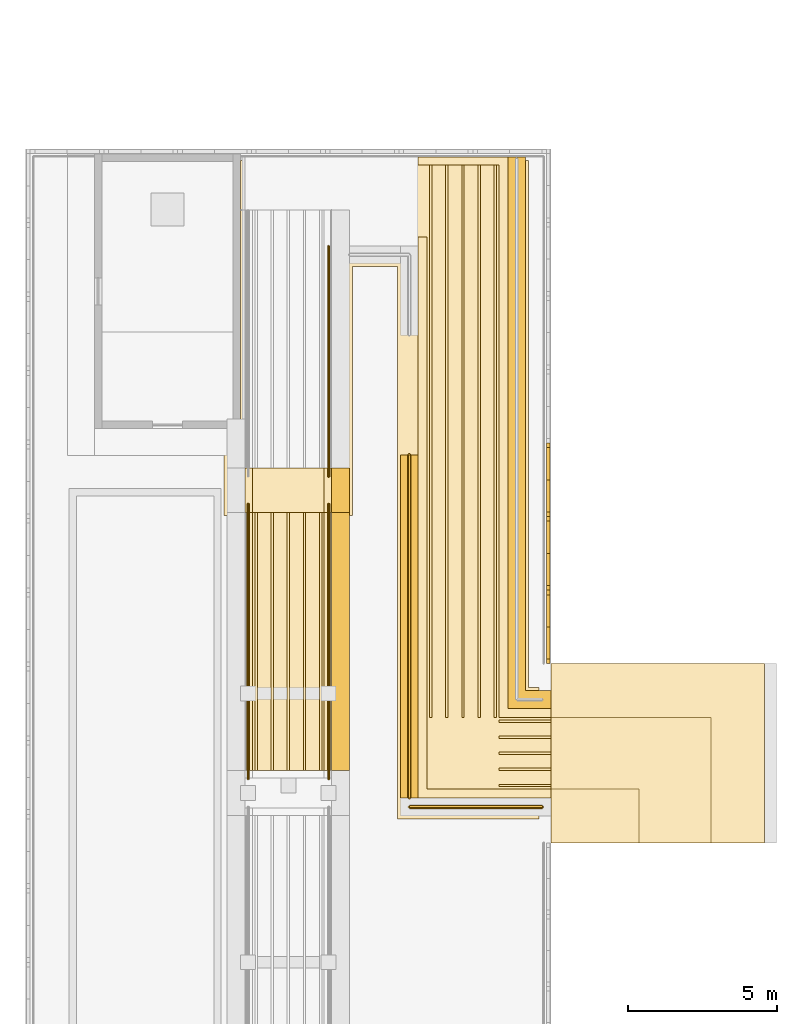
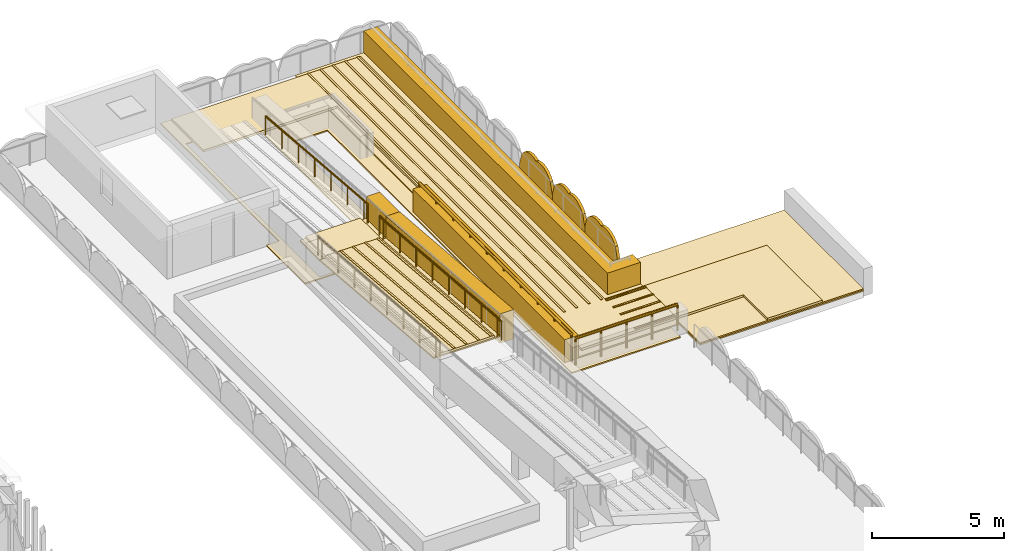
# One storey, part 68 of 70: 29 coverings, 5 railings, 3 shading devices.
"""IFC4 building model written with IfcOpenShell, lengths in metres."""

from ifc_helpers import new_model, si_unit, direction, frame, origin, origin_2d, place, context, subcontext, project, spatial, polyline, circle, outline, extrude, material, layer, layer_set, type_object, element, save


model = new_model("IFC4")

# Units and contexts
model_context = context("Model", 3, precision=1e-05, world=origin(), true_north=direction((0.0, 1.0)))
body_context = subcontext(model_context, "Body", "Model", "MODEL_VIEW")
ifc_project = project(units=[si_unit("LENGTHUNIT", "METRE"), si_unit("AREAUNIT", "SQUARE_METRE"), si_unit("VOLUMEUNIT", "CUBIC_METRE"), si_unit("PLANEANGLEUNIT", "RADIAN"), si_unit("MASSUNIT", "GRAM", prefix="KILO")], contexts=[model_context])

# Site, building, storey
site_placement = place(None, origin())
site = spatial("IfcSite", under=ifc_project, at=site_placement, CompositionType="ELEMENT")
building_placement = place(site_placement, origin())
building = spatial("IfcBuilding", under=site, at=building_placement, Name="Elbe Cascade School", CompositionType="ELEMENT")
storey_placement = place(building_placement, frame((0.0, 0.0, 8.10009765625)))
storey = spatial("IfcBuildingStorey", under=building, at=storey_placement, Name="L02", CompositionType="ELEMENT", Elevation=8.10009765625)

# Shading devices
ifc_material_1 = material(Name="Precast concrete C40/50", Category="concrete")
ifc_layer_1 = layer(ifc_material_1, 0.1201171875)
ifc_layer_set_1 = layer_set([ifc_layer_1], Name="Precast concrete C40/50")
shading_device_type = type_object("IfcShadingDeviceType", Name="Bars envelope Attic jali screen, pointed arch top, pierced precast concrete, 1200 high", PredefinedType="USERDEFINED", material=ifc_layer_set_1)
shading_device_1_placement = place(storey_placement, frame((175.1201171875, 43.0, 0.0), z_axis=(1.0, 0.0, 0.0), x_axis=(0.0, 1.0, 0.0)))
element("IfcShadingDevice", 1, at=shading_device_1_placement, inside=storey, type_object=shading_device_type, Name="Attic jali screen SD1 D.L02.e14", ObjectType="JALI", PredefinedType="USERDEFINED", context=body_context, shape_type="SweptSolid", body=[
    extrude(outline(polyline([(0.0, 0.0), (2.46435546875, 0.0), (2.46435546875, 0.39990234375), (2.310302734375, 0.89599609375), (2.15625, 1.066650390625), (2.002197265625, 1.171875), (1.84814453125, 1.236328125), (1.694091796875, 1.269287109375), (1.540283203125, 1.2744140625), (1.38623046875, 1.251953125), (1.232177734375, 1.199951171875), (1.078125, 1.251953125), (0.924072265625, 1.2744140625), (0.77001953125, 1.269287109375), (0.6162109375, 1.236328125), (0.462158203125, 1.171875), (0.30810546875, 1.066650390625), (0.154052734375, 0.89599609375), (0.0, 0.39990234375), (0.0, 0.0)])), origin(), (0.0, 0.0, -1.0), 0.1201171875),
])
shading_device_2_placement = place(storey_placement, frame((175.1201171875, 45.46435546875, 0.0), z_axis=(1.0, 0.0, 0.0), x_axis=(0.0, 1.0, 0.0)))
element("IfcShadingDevice", 2, at=shading_device_2_placement, inside=storey, type_object=shading_device_type, Name="Attic jali screen SD1 D.L02.e15", ObjectType="JALI", PredefinedType="USERDEFINED", context=body_context, shape_type="SweptSolid", body=[
    extrude(outline(polyline([(0.0, 0.0), (2.46435546875, 0.0), (2.46435546875, 0.39990234375), (2.310302734375, 0.89599609375), (2.15625, 1.066650390625), (2.002197265625, 1.171875), (1.84814453125, 1.236328125), (1.694091796875, 1.269287109375), (1.5400390625, 1.2744140625), (1.385986328125, 1.251953125), (1.23193359375, 1.199951171875), (1.078125, 1.251953125), (0.924072265625, 1.2744140625), (0.77001953125, 1.269287109375), (0.615966796875, 1.236328125), (0.4619140625, 1.171875), (0.307861328125, 1.066650390625), (0.154052734375, 0.89599609375), (0.0, 0.39990234375), (0.0, 0.0)])), origin(), (0.0, 0.0, -1.0), 0.1201171875),
])
shading_device_3_placement = place(storey_placement, frame((175.1201171875, 47.9287109375, 0.0), z_axis=(1.0, 0.0, 0.0), x_axis=(0.0, 1.0, 0.0)))
element("IfcShadingDevice", 3, at=shading_device_3_placement, inside=storey, type_object=shading_device_type, Name="Attic jali screen SD1 D.L02.e16", ObjectType="JALI", PredefinedType="USERDEFINED", context=body_context, shape_type="SweptSolid", body=[
    extrude(outline(polyline([(0.0, 0.0), (2.464111328125, 0.0), (2.464111328125, 0.39990234375), (2.31005859375, 0.89599609375), (2.156005859375, 1.066650390625), (2.002197265625, 1.171875), (1.84814453125, 1.236328125), (1.694091796875, 1.269287109375), (1.5400390625, 1.2744140625), (1.385986328125, 1.251953125), (1.23193359375, 1.199951171875), (1.077880859375, 1.251953125), (0.924072265625, 1.2744140625), (0.77001953125, 1.269287109375), (0.615966796875, 1.236328125), (0.4619140625, 1.171875), (0.307861328125, 1.066650390625), (0.15380859375, 0.89599609375), (0.0, 0.39990234375), (0.0, 0.0)])), origin(), (0.0, 0.0, -1.0), 0.1201171875),
])

# Coverings
ifc_material_2 = material(Name="Bituminous waterproofing membrane", Category="membrane")
ifc_layer_2 = layer(ifc_material_2, 0.06005859375)
ifc_layer_set_2 = layer_set([ifc_layer_2], Name="Bituminous waterproofing membrane")
covering_type_1 = type_object("IfcCoveringType", Name="Bars envelope Roof covering, bituminous waterproofing membrane", PredefinedType="ROOFING", material=ifc_layer_set_2)
covering_1_placement = place(storey_placement, origin())
element("IfcCovering", 4, at=covering_1_placement, inside=storey, type_object=covering_type_1, Name="Roof covering CV49 D.L02.3", PredefinedType="ROOFING", context=body_context, shape_type="SweptSolid", body=[
    extrude(outline(polyline([(164.75, 50.875), (164.75, 59.85009765625), (174.39990234375, 59.85009765625), (174.39990234375, 42.199951171875), (174.75, 42.199951171875), (174.75, 37.800048828125), (170.0, 37.800048828125), (170.0, 56.300048828125), (168.5, 56.300048828125), (168.5, 47.9599609375), (164.199951171875, 47.9599609375), (164.199951171875, 50.875), (164.75, 50.875)]), holes=[polyline([(167.800048828125, 58.199951171875), (164.89990234375, 58.199951171875), (164.89990234375, 48.06005859375), (167.800048828125, 48.06005859375), (167.800048828125, 58.199951171875)])]), origin(), (0.0, 0.0, 1.0), 0.059814453125),
])
ifc_material_3 = material(Name="Cement screed", Category="screed")
ifc_layer_3 = layer(ifc_material_3, 0.06005859375)
ifc_layer_set_3 = layer_set([ifc_layer_3], Name="Cement screed")
covering_type_2 = type_object("IfcCoveringType", Name="Landing screed 60", PredefinedType="FLOORING", material=ifc_layer_set_3)
covering_2_placement = place(storey_placement, origin())
element("IfcCovering", 5, at=covering_2_placement, inside=storey, type_object=covering_type_2, Name="Cascade top landing screed", PredefinedType="FLOORING", context=body_context, shape_type="SweptSolid", body=[
    extrude(outline(polyline([(175.14990234375, 37.0), (182.300048828125, 37.0), (182.300048828125, 43.0), (175.14990234375, 43.0), (175.14990234375, 37.0)])), origin(), (0.0, 0.0, 1.0), 0.059814453125),
])
ifc_material_4 = material(Name="Running track surfacing - white lines", Category="surfacing")
ifc_layer_4 = layer(ifc_material_4, 0.02001953125)
ifc_layer_set_4 = layer_set([ifc_layer_4], Name="Running track surfacing - white lines")
covering_type_3 = type_object("IfcCoveringType", Name="Lane marking 80", PredefinedType="FLOORING", material=ifc_layer_set_4)
covering_3_placement = place(storey_placement, frame((0.0, 0.0, 0.219970703125)))
element("IfcCovering", 6, at=covering_3_placement, inside=storey, type_object=covering_type_3, Name="Lane marking D roof strip 1", PredefinedType="FLOORING", context=body_context, shape_type="SweptSolid", body=[
    extrude(outline(polyline([(171.080078125, 59.699951171875), (171.159912109375, 59.699951171875), (171.159912109375, 41.199951171875), (171.080078125, 41.199951171875), (171.080078125, 59.699951171875)])), origin(), (0.0, 0.0, 1.0), 0.02001953125),
])
covering_4_placement = place(storey_placement, frame((0.0, 0.0, 0.219970703125)))
element("IfcCovering", 7, at=covering_4_placement, inside=storey, type_object=covering_type_3, Name="Lane marking D roof leg 1", PredefinedType="FLOORING", context=body_context, shape_type="SweptSolid", body=[
    extrude(outline(polyline([(173.39990234375, 38.8798828125), (175.14990234375, 38.8798828125), (175.14990234375, 38.9599609375), (173.39990234375, 38.9599609375), (173.39990234375, 38.8798828125)])), origin(), (0.0, 0.0, 1.0), 0.02001953125),
])
covering_5_placement = place(storey_placement, frame((0.0, 0.0, 0.219970703125)))
element("IfcCovering", 8, at=covering_5_placement, inside=storey, type_object=covering_type_3, Name="Lane marking D roof strip 2", PredefinedType="FLOORING", context=body_context, shape_type="SweptSolid", body=[
    extrude(outline(polyline([(171.6201171875, 59.699951171875), (171.699951171875, 59.699951171875), (171.699951171875, 41.199951171875), (171.6201171875, 41.199951171875), (171.6201171875, 59.699951171875)])), origin(), (0.0, 0.0, 1.0), 0.02001953125),
])
covering_6_placement = place(storey_placement, frame((0.0, 0.0, 0.219970703125)))
element("IfcCovering", 9, at=covering_6_placement, inside=storey, type_object=covering_type_3, Name="Lane marking D roof leg 2", PredefinedType="FLOORING", context=body_context, shape_type="SweptSolid", body=[
    extrude(outline(polyline([(173.39990234375, 39.419921875), (175.14990234375, 39.419921875), (175.14990234375, 39.5), (173.39990234375, 39.5), (173.39990234375, 39.419921875)])), origin(), (0.0, 0.0, 1.0), 0.02001953125),
])
covering_7_placement = place(storey_placement, frame((0.0, 0.0, 0.219970703125)))
element("IfcCovering", 10, at=covering_7_placement, inside=storey, type_object=covering_type_3, Name="Lane marking D roof strip 3", PredefinedType="FLOORING", context=body_context, shape_type="SweptSolid", body=[
    extrude(outline(polyline([(172.159912109375, 59.699951171875), (172.239990234375, 59.699951171875), (172.239990234375, 41.199951171875), (172.159912109375, 41.199951171875), (172.159912109375, 59.699951171875)])), origin(), (0.0, 0.0, 1.0), 0.02001953125),
])
covering_8_placement = place(storey_placement, frame((0.0, 0.0, 0.219970703125)))
element("IfcCovering", 11, at=covering_8_placement, inside=storey, type_object=covering_type_3, Name="Lane marking D roof leg 3", PredefinedType="FLOORING", context=body_context, shape_type="SweptSolid", body=[
    extrude(outline(polyline([(173.39990234375, 39.9599609375), (175.14990234375, 39.9599609375), (175.14990234375, 40.0400390625), (173.39990234375, 40.0400390625), (173.39990234375, 39.9599609375)])), origin(), (0.0, 0.0, 1.0), 0.02001953125),
])
covering_9_placement = place(storey_placement, frame((0.0, 0.0, 0.219970703125)))
element("IfcCovering", 12, at=covering_9_placement, inside=storey, type_object=covering_type_3, Name="Lane marking D roof strip 4", PredefinedType="FLOORING", context=body_context, shape_type="SweptSolid", body=[
    extrude(outline(polyline([(172.699951171875, 59.699951171875), (172.780029296875, 59.699951171875), (172.780029296875, 41.199951171875), (172.699951171875, 41.199951171875), (172.699951171875, 59.699951171875)])), origin(), (0.0, 0.0, 1.0), 0.02001953125),
])
covering_10_placement = place(storey_placement, frame((0.0, 0.0, 0.219970703125)))
element("IfcCovering", 13, at=covering_10_placement, inside=storey, type_object=covering_type_3, Name="Lane marking D roof leg 4", PredefinedType="FLOORING", context=body_context, shape_type="SweptSolid", body=[
    extrude(outline(polyline([(173.39990234375, 40.5), (175.14990234375, 40.5), (175.14990234375, 40.580078125), (173.39990234375, 40.580078125), (173.39990234375, 40.5)])), origin(), (0.0, 0.0, 1.0), 0.02001953125),
])
covering_11_placement = place(storey_placement, frame((0.0, 0.0, 0.219970703125)))
element("IfcCovering", 14, at=covering_11_placement, inside=storey, type_object=covering_type_3, Name="Lane marking D roof strip 5", PredefinedType="FLOORING", context=body_context, shape_type="SweptSolid", body=[
    extrude(outline(polyline([(173.239990234375, 59.699951171875), (173.320068359375, 59.699951171875), (173.320068359375, 41.199951171875), (173.239990234375, 41.199951171875), (173.239990234375, 59.699951171875)])), origin(), (0.0, 0.0, 1.0), 0.02001953125),
])
covering_12_placement = place(storey_placement, frame((0.0, 0.0, 0.219970703125)))
element("IfcCovering", 15, at=covering_12_placement, inside=storey, type_object=covering_type_3, Name="Lane marking D roof leg 5", PredefinedType="FLOORING", context=body_context, shape_type="SweptSolid", body=[
    extrude(outline(polyline([(173.39990234375, 41.0400390625), (175.14990234375, 41.0400390625), (175.14990234375, 41.1201171875), (173.39990234375, 41.1201171875), (173.39990234375, 41.0400390625)])), origin(), (0.0, 0.0, 1.0), 0.02001953125),
])
for number, where, z_axis, x_axis, name in (
    (16, (165.22998046875, 39.419921875, 1.679931640625), (0.0, 0.083040819057, 0.996546146634), (0.0, 0.996546146634, -0.083040819057), "Lane marking D ramp flight 4 line 1"),
    (17, (165.77001953125, 39.419921875, 1.679931640625), (0.0, 0.083040819057, 0.996546146634), (0.0, 0.996546146634, -0.083040819057), "Lane marking D ramp flight 4 line 2"),
):
    element("IfcCovering", number, at=place(storey_placement, frame(where, z_axis=z_axis, x_axis=x_axis)), inside=storey, type_object=covering_type_3, Name=name, PredefinedType="FLOORING", context=body_context, shape_type="SweptSolid", body=[
        extrude(outline(polyline([(0.0, 0.0), (8.670081910342619, 0.0), (8.670081910342619, -0.080078125), (0.0, -0.080078125), (0.0, 0.0)])), origin(), (0.083040819057, 0.0, -0.996546146634), 0.02001953125),
    ])
for number, where, z_axis, x_axis, name in (
    (18, (166.31005859375, 39.419921875, 1.679931640625), (0.0, 0.083040819057, 0.996546146634), (0.0, 0.996546146634, -0.083040819057), "Lane marking D ramp flight 4 line 3"),
    (19, (166.85009765625, 39.419921875, 1.679931640625), (0.0, 0.083040819057, 0.996546146634), (0.0, 0.996546146634, -0.083040819057), "Lane marking D ramp flight 4 line 4"),
):
    element("IfcCovering", number, at=place(storey_placement, frame(where, z_axis=z_axis, x_axis=x_axis)), inside=storey, type_object=covering_type_3, Name=name, PredefinedType="FLOORING", context=body_context, shape_type="SweptSolid", body=[
        extrude(outline(polyline([(0.0, 0.0), (8.670081910342619, 0.0), (8.670081910342619, -0.079833984375), (0.0, -0.079833984375), (0.0, 0.0)])), origin(), (0.083040819057, 0.0, -0.996546146634), 0.02001953125),
    ])
covering_13_placement = place(storey_placement, frame((167.389892578125, 39.419921875, 1.679931640625), z_axis=(0.0, 0.083040819057, 0.996546146634), x_axis=(0.0, 0.996546146634, -0.083040819057)))
element("IfcCovering", 20, at=covering_13_placement, inside=storey, type_object=covering_type_3, Name="Lane marking D ramp flight 4 line 5", PredefinedType="FLOORING", context=body_context, shape_type="SweptSolid", body=[
    extrude(outline(polyline([(0.0, 0.0), (8.670081910342619, 0.0), (8.670081910342619, -0.080078125), (0.0, -0.080078125), (0.0, 0.0)])), origin(), (0.083040819057, 0.0, -0.996546146634), 0.02001953125),
])
ifc_material_5 = material(Name="Concrete C30/37 precast parapet", Category="concrete")
ifc_layer_5 = layer(ifc_material_5, 0.60009765625)
ifc_layer_set_5 = layer_set([ifc_layer_5], Name="Concrete C30/37 precast parapet")
covering_type_4 = type_object("IfcCoveringType", Name="Ramp and bridge parapet 600", PredefinedType="CLADDING", material=ifc_layer_set_5)
covering_14_placement = place(storey_placement, frame((167.800048828125, 39.419921875, 2.559814453125), z_axis=(0.0, 0.083040819057, 0.996546146634), x_axis=(0.0, 0.996546146634, -0.083040819057)))
element("IfcCovering", 21, at=covering_14_placement, inside=storey, type_object=covering_type_4, Name="Ramp D flight 4 parapet e1", PredefinedType="CLADDING", context=body_context, shape_type="SweptSolid", body=[
    extrude(outline(polyline([(0.0, 0.0), (8.670081910342619, 0.0), (8.670081910342619, -0.599853515625), (0.0, -0.599853515625), (0.0, 0.0)])), origin(), (0.083040819057, 0.0, -0.996546146634), 1.360107421875),
])
ifc_material_6 = material(Name="Concrete C30/37 precast parapet", Category="concrete")
ifc_layer_6 = layer(ifc_material_6, 0.60009765625)
ifc_layer_set_6 = layer_set([ifc_layer_6], Name="Concrete C30/37 precast parapet")
covering_type_5 = type_object("IfcCoveringType", Name="Ramp parapet on deck 600", PredefinedType="CLADDING", material=ifc_layer_set_6)
covering_15_placement = place(storey_placement, frame((0.0, 0.0, 0.059814453125)))
element("IfcCovering", 22, at=covering_15_placement, inside=storey, type_object=covering_type_5, Name="Ramp D landing 5 parapet e1", PredefinedType="CLADDING", context=body_context, shape_type="SweptSolid", body=[
    extrude(outline(polyline([(167.800048828125, 48.06005859375), (168.39990234375, 48.06005859375), (168.39990234375, 49.56005859375), (167.800048828125, 49.56005859375), (167.800048828125, 48.06005859375)])), origin(), (0.0, 0.0, 1.0), 1.780029296875),
])
ifc_material_7 = material(Name="Running track surfacing - red", Category="surfacing")
ifc_layer_7 = layer(ifc_material_7, 0.10009765625)
ifc_layer_set_7 = layer_set([ifc_layer_7], Name="Running track surfacing - red")
covering_type_6 = type_object("IfcCoveringType", Name="Running track band 100", PredefinedType="USERDEFINED", material=ifc_layer_set_7)
covering_16_placement = place(storey_placement, frame((0.0, 0.0, 0.119873046875)))
element("IfcCovering", 23, at=covering_16_placement, inside=storey, type_object=covering_type_6, Name="Running track band D roof", ObjectType="RUNNING TRACK", PredefinedType="USERDEFINED", context=body_context, shape_type="SweptSolid", body=[
    extrude(outline(polyline([(173.39990234375, 38.800048828125), (171.0, 38.800048828125), (171.0, 41.199951171875), (171.0, 57.300048828125), (165.14990234375, 57.300048828125), (165.14990234375, 58.199951171875), (165.14990234375, 59.699951171875), (167.550048828125, 59.699951171875), (171.0, 59.699951171875), (172.199951171875, 59.699951171875), (173.39990234375, 59.699951171875), (173.39990234375, 41.199951171875), (175.14990234375, 41.199951171875), (175.14990234375, 38.800048828125), (173.39990234375, 38.800048828125)])), origin(), (0.0, 0.0, 1.0), 0.10009765625),
])
covering_17_placement = place(storey_placement, frame((0.0, 0.0, 0.83984375)))
element("IfcCovering", 24, at=covering_17_placement, inside=storey, type_object=covering_type_6, Name="Running track band D ramp landing 5", ObjectType="RUNNING TRACK", PredefinedType="USERDEFINED", context=body_context, shape_type="SweptSolid", body=[
    extrude(outline(polyline([(167.550048828125, 48.06005859375), (167.550048828125, 49.56005859375), (165.14990234375, 49.56005859375), (165.14990234375, 48.06005859375), (167.550048828125, 48.06005859375)])), origin(), (0.0, 0.0, 1.0), 0.10009765625),
])
covering_18_placement = place(storey_placement, frame((165.14990234375, 39.419921875, 1.659912109375), z_axis=(0.0, 0.083040819057, 0.996546146634), x_axis=(0.0, 0.996546146634, -0.083040819057)))
element("IfcCovering", 25, at=covering_18_placement, inside=storey, type_object=covering_type_6, Name="Running track band D ramp flight 4", ObjectType="RUNNING TRACK", PredefinedType="USERDEFINED", context=body_context, shape_type="SweptSolid", body=[
    extrude(outline(polyline([(0.0, 0.0), (8.670081910342619, 0.0), (8.670081910342619, -2.400146484375), (0.0, -2.400146484375), (0.0, 0.0)])), origin(), (0.083040819057, 0.0, -0.996546146634), 0.10009765625),
])
covering_19_placement = place(storey_placement, frame((0.0, 0.0, 0.119873046875)))
element("IfcCovering", 26, at=covering_19_placement, inside=storey, type_object=covering_type_6, Name="Running track band cascade landing", ObjectType="RUNNING TRACK", PredefinedType="USERDEFINED", context=body_context, shape_type="SweptSolid", body=[
    extrude(outline(polyline([(180.5, 37.0), (178.10009765625, 37.0), (178.10009765625, 38.800048828125), (175.14990234375, 38.800048828125), (175.14990234375, 41.199951171875), (178.10009765625, 41.199951171875), (180.5, 41.199951171875), (180.5, 38.800048828125), (180.5, 37.0)])), origin(), (0.0, 0.0, 1.0), 0.10009765625),
])
ifc_material_8 = material(Name="Running track surfacing - red", Category="surfacing")
ifc_layer_8 = layer(ifc_material_8, 0.06005859375)
ifc_layer_set_8 = layer_set([ifc_layer_8], Name="Running track surfacing - red")
covering_type_7 = type_object("IfcCoveringType", Name="Running track surfacing 60", PredefinedType="USERDEFINED", material=ifc_layer_set_8)
covering_20_placement = place(storey_placement, frame((0.0, 0.0, 0.059814453125)))
element("IfcCovering", 27, at=covering_20_placement, inside=storey, type_object=covering_type_7, Name="Running track D roof", ObjectType="RUNNING TRACK", PredefinedType="USERDEFINED", context=body_context, shape_type="SweptSolid", body=[
    extrude(outline(polyline([(170.699951171875, 59.969970703125), (173.699951171875, 59.969970703125), (173.699951171875, 41.5), (175.14990234375, 41.5), (175.14990234375, 38.5), (170.699951171875, 38.5), (170.699951171875, 59.969970703125)])), origin(), (0.0, 0.0, 1.0), 0.06005859375),
])
covering_21_placement = place(storey_placement, frame((0.0, 0.0, 0.77978515625)))
element("IfcCovering", 28, at=covering_21_placement, inside=storey, type_object=covering_type_7, Name="Running track D ramp landing 5", ObjectType="RUNNING TRACK", PredefinedType="USERDEFINED", context=body_context, shape_type="SweptSolid", body=[
    extrude(outline(polyline([(167.800048828125, 48.06005859375), (167.800048828125, 49.56005859375), (164.89990234375, 49.56005859375), (164.89990234375, 48.06005859375), (167.800048828125, 48.06005859375)])), origin(), (0.0, 0.0, 1.0), 0.06005859375),
])
covering_22_placement = place(storey_placement, frame((164.89990234375, 39.419921875, 1.559814453125), z_axis=(0.0, 0.083040819057, 0.996546146634), x_axis=(0.0, 0.996546146634, -0.083040819057)))
element("IfcCovering", 29, at=covering_22_placement, inside=storey, type_object=covering_type_7, Name="Running track D ramp flight 4", ObjectType="RUNNING TRACK", PredefinedType="USERDEFINED", context=body_context, shape_type="SweptSolid", body=[
    extrude(outline(polyline([(0.0, 0.0), (8.670081910342619, 0.0), (8.670081910342619, -2.900146484375), (0.0, -2.900146484375), (0.0, 0.0)])), origin(), (0.083040819057, 0.0, -0.996546146634), 0.06005859375),
])
covering_23_placement = place(storey_placement, frame((0.0, 0.0, 0.059814453125)))
element("IfcCovering", 30, at=covering_23_placement, inside=storey, type_object=covering_type_7, Name="Running track cascade landing", ObjectType="RUNNING TRACK", PredefinedType="USERDEFINED", context=body_context, shape_type="SweptSolid", body=[
    extrude(outline(polyline([(175.14990234375, 37.0), (182.300048828125, 37.0), (182.300048828125, 43.0), (175.14990234375, 43.0), (175.14990234375, 37.0)])), origin(), (0.0, 0.0, 1.0), 0.06005859375),
])

# Railings
ifc_material_9 = material(Name="Steel S355J2H", Category="steel")
railing_type_1 = type_object("IfcRailingType", Name="Track edge rail 1280", PredefinedType="GUARDRAIL", material=ifc_material_9)
railing_1_placement = place(storey_placement, frame((170.39990234375, 38.199951171875, 0.059814453125)))
element("IfcRailing", 31, at=railing_1_placement, inside=storey, type_object=railing_type_1, Name="Track edge rail RL6 D south", PredefinedType="GUARDRAIL", context=body_context, shape_type="SweptSolid", body=[
    extrude(circle(Radius=0.06005859375, at=origin_2d()), frame((0.0, 0.0, 1.219970703125), z_axis=(1.0, 0.0, 0.0), x_axis=(0.0, 1.0, 0.0)), (0.0, 0.0, 1.0), 4.4580078125),
    extrude(circle(Radius=0.0400390625, at=origin_2d()), origin(), (0.0, 0.0, 1.0), 1.159912109375),
    extrude(circle(Radius=0.0400390625, at=origin_2d()), frame((1.114501953125, 0.0, 0.0)), (0.0, 0.0, 1.0), 1.159912109375),
    extrude(circle(Radius=0.0400390625, at=origin_2d()), frame((2.22900390625, 0.0, 0.0)), (0.0, 0.0, 1.0), 1.159912109375),
    extrude(circle(Radius=0.0400390625, at=origin_2d()), frame((3.343505859375, 0.0, 0.0)), (0.0, 0.0, 1.0), 1.159912109375),
    extrude(circle(Radius=0.0400390625, at=origin_2d()), frame((4.4580078125, 0.0, 0.0)), (0.0, 0.0, 1.0), 1.159912109375),
])
railing_2_placement = place(storey_placement, frame((170.39990234375, 50.0, 0.059814453125)))
element("IfcRailing", 32, at=railing_2_placement, inside=storey, type_object=railing_type_1, Name="Track edge rail RL6 D west 2", PredefinedType="GUARDRAIL", context=body_context, shape_type="SweptSolid", body=[
    extrude(circle(Radius=0.06005859375, at=origin_2d()), frame((0.0, 0.0, 1.219970703125), z_axis=(0.0, -1.0, 0.0), x_axis=(1.0, 0.0, 0.0)), (0.0, 0.0, 1.0), 11.5),
    extrude(circle(Radius=0.0400390625, at=origin_2d()), origin(), (0.0, 0.0, 1.0), 1.159912109375),
    extrude(circle(Radius=0.0400390625, at=origin_2d()), frame((0.0, -1.27783203125, 0.0)), (0.0, 0.0, 1.0), 1.159912109375),
    extrude(circle(Radius=0.0400390625, at=origin_2d()), frame((0.0, -2.5556640625, 0.0)), (0.0, 0.0, 1.0), 1.159912109375),
    extrude(circle(Radius=0.0400390625, at=origin_2d()), frame((0.0, -3.833251953125, 0.0)), (0.0, 0.0, 1.0), 1.159912109375),
    extrude(circle(Radius=0.0400390625, at=origin_2d()), frame((0.0, -5.111083984375, 0.0)), (0.0, 0.0, 1.0), 1.159912109375),
    extrude(circle(Radius=0.0400390625, at=origin_2d()), frame((0.0, -6.388916015625, 0.0)), (0.0, 0.0, 1.0), 1.159912109375),
    extrude(circle(Radius=0.0400390625, at=origin_2d()), frame((0.0, -7.666748046875, 0.0)), (0.0, 0.0, 1.0), 1.159912109375),
    extrude(circle(Radius=0.0400390625, at=origin_2d()), frame((0.0, -8.9443359375, 0.0)), (0.0, 0.0, 1.0), 1.159912109375),
    extrude(circle(Radius=0.0400390625, at=origin_2d()), frame((0.0, -10.22216796875, 0.0)), (0.0, 0.0, 1.0), 1.159912109375),
    extrude(circle(Radius=0.0400390625, at=origin_2d()), frame((0.0, -11.5, 0.0)), (0.0, 0.0, 1.0), 1.159912109375),
])
ifc_material_10 = material(Name="Steel S355J2H", Category="steel")
railing_type_2 = type_object("IfcRailingType", Name="Track handrail 900", PredefinedType="HANDRAIL", material=ifc_material_10)
railing_3_placement = place(storey_placement, frame((167.699951171875, 39.1201171875, 1.559814453125)))
element("IfcRailing", 33, at=railing_3_placement, inside=storey, type_object=railing_type_2, Name="Track handrail RL5 C-D south and east flight 4", PredefinedType="HANDRAIL", context=body_context, shape_type="SweptSolid", body=[
    extrude(circle(Radius=0.0400390625, at=origin_2d()), frame((0.0, 0.0, 0.85986328125), z_axis=(0.0, 1.0, 0.0), x_axis=(-1.0, 0.0, 0.0)), (0.0, 0.0, 1.0), 0.2998046875),
    extrude(circle(Radius=0.0400390625, at=origin_2d()), frame((0.0, 0.2998046875, 0.85986328125), z_axis=(0.0, 0.996546146634, -0.083040819057), x_axis=(-1.0, 0.0, 0.0)), (0.0, 0.0, 1.0), 8.670166015625),
    extrude(circle(Radius=0.0400390625, at=origin_2d()), frame((0.0, 8.93994140625, 0.139892578125), z_axis=(0.0, 1.0, 0.0), x_axis=(-1.0, 0.0, 0.0)), (0.0, 0.0, 1.0), 0.300048828125),
    extrude(circle(Radius=0.02099609375, at=origin_2d()), origin(), (0.0, 0.0, 1.0), 0.81982421875),
    extrude(circle(Radius=0.02099609375, at=origin_2d()), frame((0.0, 0.2998046875, 0.0)), (0.0, 0.0, 1.0), 0.81982421875),
    extrude(circle(Radius=0.02099609375, at=origin_2d()), frame((0.0, 1.5341796875, -0.102783203125)), (0.0, 0.0, 1.0), 0.81982421875),
    extrude(circle(Radius=0.02099609375, at=origin_2d()), frame((0.0, 2.768310546875, -0.205810546875)), (0.0, 0.0, 1.0), 0.81982421875),
    extrude(circle(Radius=0.02099609375, at=origin_2d()), frame((0.0, 4.002685546875, -0.30859375)), (0.0, 0.0, 1.0), 0.81982421875),
    extrude(circle(Radius=0.02099609375, at=origin_2d()), frame((0.0, 5.237060546875, -0.411376953125)), (0.0, 0.0, 1.0), 0.81982421875),
    extrude(circle(Radius=0.02099609375, at=origin_2d()), frame((0.0, 6.471435546875, -0.51416015625)), (0.0, 0.0, 1.0), 0.81982421875),
    extrude(circle(Radius=0.02099609375, at=origin_2d()), frame((0.0, 7.70556640625, -0.6171875)), (0.0, 0.0, 1.0), 0.81982421875),
    extrude(circle(Radius=0.02099609375, at=origin_2d()), frame((0.0, 8.93994140625, -0.719970703125)), (0.0, 0.0, 1.0), 0.81982421875),
    extrude(circle(Radius=0.02099609375, at=origin_2d()), frame((0.0, 9.239990234375, -0.719970703125)), (0.0, 0.0, 1.0), 0.81982421875),
])
railing_4_placement = place(storey_placement, frame((167.699951171875, 49.260009765625, 0.83984375)))
element("IfcRailing", 34, at=railing_4_placement, inside=storey, type_object=railing_type_2, Name="Track handrail RL5 C-D south and east flight 5", PredefinedType="HANDRAIL", context=body_context, shape_type="SweptSolid", body=[
    extrude(circle(Radius=0.0400390625, at=origin_2d()), frame((0.0, 0.0, 0.85986328125), z_axis=(0.0, 1.0, 0.0), x_axis=(-1.0, 0.0, 0.0)), (0.0, 0.0, 1.0), 0.300048828125),
    extrude(circle(Radius=0.0400390625, at=origin_2d()), frame((0.0, 0.300048828125, 0.85986328125), z_axis=(0.0, 0.99654711128, -0.08302924183), x_axis=(-1.0, 0.0, 0.0)), (0.0, 0.0, 1.0), 7.4658203125),
    extrude(circle(Radius=0.02099609375, at=origin_2d()), origin(), (0.0, 0.0, 1.0), 0.81982421875),
    extrude(circle(Radius=0.02099609375, at=origin_2d()), frame((0.0, 0.300048828125, 0.0)), (0.0, 0.0, 1.0), 0.81982421875),
    extrude(circle(Radius=0.02099609375, at=origin_2d()), frame((0.0, 1.5400390625, -0.103271484375)), (0.0, 0.0, 1.0), 0.81982421875),
    extrude(circle(Radius=0.02099609375, at=origin_2d()), frame((0.0, 2.780029296875, -0.20654296875)), (0.0, 0.0, 1.0), 0.81982421875),
    extrude(circle(Radius=0.02099609375, at=origin_2d()), frame((0.0, 4.02001953125, -0.31005859375)), (0.0, 0.0, 1.0), 0.81982421875),
    extrude(circle(Radius=0.02099609375, at=origin_2d()), frame((0.0, 5.260009765625, -0.413330078125)), (0.0, 0.0, 1.0), 0.81982421875),
    extrude(circle(Radius=0.02099609375, at=origin_2d()), frame((0.0, 6.5, -0.5166015625)), (0.0, 0.0, 1.0), 0.81982421875),
    extrude(circle(Radius=0.02099609375, at=origin_2d()), frame((0.0, 7.739990234375, -0.619873046875)), (0.0, 0.0, 1.0), 0.81982421875),
])
railing_5_placement = place(storey_placement, frame((165.0, 39.1201171875, 1.559814453125)))
element("IfcRailing", 35, at=railing_5_placement, inside=storey, type_object=railing_type_2, Name="Track handrail RL5 C-D north and west flight 4", PredefinedType="HANDRAIL", context=body_context, shape_type="SweptSolid", body=[
    extrude(circle(Radius=0.0400390625, at=origin_2d()), frame((0.0, 0.0, 0.85986328125), z_axis=(0.0, 1.0, 0.0), x_axis=(-1.0, 0.0, 0.0)), (0.0, 0.0, 1.0), 0.2998046875),
    extrude(circle(Radius=0.0400390625, at=origin_2d()), frame((0.0, 0.2998046875, 0.85986328125), z_axis=(0.0, 0.996546146634, -0.083040819057), x_axis=(-1.0, 0.0, 0.0)), (0.0, 0.0, 1.0), 8.670166015625),
    extrude(circle(Radius=0.0400390625, at=origin_2d()), frame((0.0, 8.93994140625, 0.139892578125), z_axis=(0.0, 1.0, 0.0), x_axis=(-1.0, 0.0, 0.0)), (0.0, 0.0, 1.0), 0.300048828125),
    extrude(circle(Radius=0.02099609375, at=origin_2d()), origin(), (0.0, 0.0, 1.0), 0.81982421875),
    extrude(circle(Radius=0.02099609375, at=origin_2d()), frame((0.0, 0.2998046875, 0.0)), (0.0, 0.0, 1.0), 0.81982421875),
    extrude(circle(Radius=0.02099609375, at=origin_2d()), frame((0.0, 1.5341796875, -0.102783203125)), (0.0, 0.0, 1.0), 0.81982421875),
    extrude(circle(Radius=0.02099609375, at=origin_2d()), frame((0.0, 2.768310546875, -0.205810546875)), (0.0, 0.0, 1.0), 0.81982421875),
    extrude(circle(Radius=0.02099609375, at=origin_2d()), frame((0.0, 4.002685546875, -0.30859375)), (0.0, 0.0, 1.0), 0.81982421875),
    extrude(circle(Radius=0.02099609375, at=origin_2d()), frame((0.0, 5.237060546875, -0.411376953125)), (0.0, 0.0, 1.0), 0.81982421875),
    extrude(circle(Radius=0.02099609375, at=origin_2d()), frame((0.0, 6.471435546875, -0.51416015625)), (0.0, 0.0, 1.0), 0.81982421875),
    extrude(circle(Radius=0.02099609375, at=origin_2d()), frame((0.0, 7.70556640625, -0.6171875)), (0.0, 0.0, 1.0), 0.81982421875),
    extrude(circle(Radius=0.02099609375, at=origin_2d()), frame((0.0, 8.93994140625, -0.719970703125)), (0.0, 0.0, 1.0), 0.81982421875),
    extrude(circle(Radius=0.02099609375, at=origin_2d()), frame((0.0, 9.239990234375, -0.719970703125)), (0.0, 0.0, 1.0), 0.81982421875),
])

# Coverings
ifc_material_11 = material(Name="Concrete C30/37 precast parapet", Category="concrete")
ifc_layer_9 = layer(ifc_material_11, 0.60009765625)
ifc_layer_set_9 = layer_set([ifc_layer_9], Name="Concrete C30/37 precast parapet")
covering_type_8 = type_object("IfcCoveringType", Name="Track parapet on deck 600x1060", PredefinedType="CLADDING", material=ifc_layer_set_9)
covering_24_placement = place(storey_placement, frame((0.0, 0.0, 0.059814453125)))
element("IfcCovering", 36, at=covering_24_placement, inside=storey, type_object=covering_type_8, Name="Track parapet D east", PredefinedType="CLADDING", context=body_context, shape_type="SweptSolid", body=[
    extrude(outline(polyline([(173.699951171875, 59.969970703125), (174.300048828125, 59.969970703125), (174.300048828125, 42.10009765625), (175.14990234375, 42.10009765625), (175.14990234375, 41.5), (173.699951171875, 41.5), (173.699951171875, 59.969970703125)])), origin(), (0.0, 0.0, 1.0), 1.06005859375),
])
covering_25_placement = place(storey_placement, frame((0.0, 0.0, 0.059814453125)))
element("IfcCovering", 37, at=covering_25_placement, inside=storey, type_object=covering_type_8, Name="Track parapet D west 2", PredefinedType="CLADDING", context=body_context, shape_type="SweptSolid", body=[
    extrude(outline(polyline([(170.10009765625, 50.0), (170.699951171875, 50.0), (170.699951171875, 38.5), (170.10009765625, 38.5), (170.10009765625, 50.0)])), origin(), (0.0, 0.0, 1.0), 1.06005859375),
])

save(model, "model.ifc")
